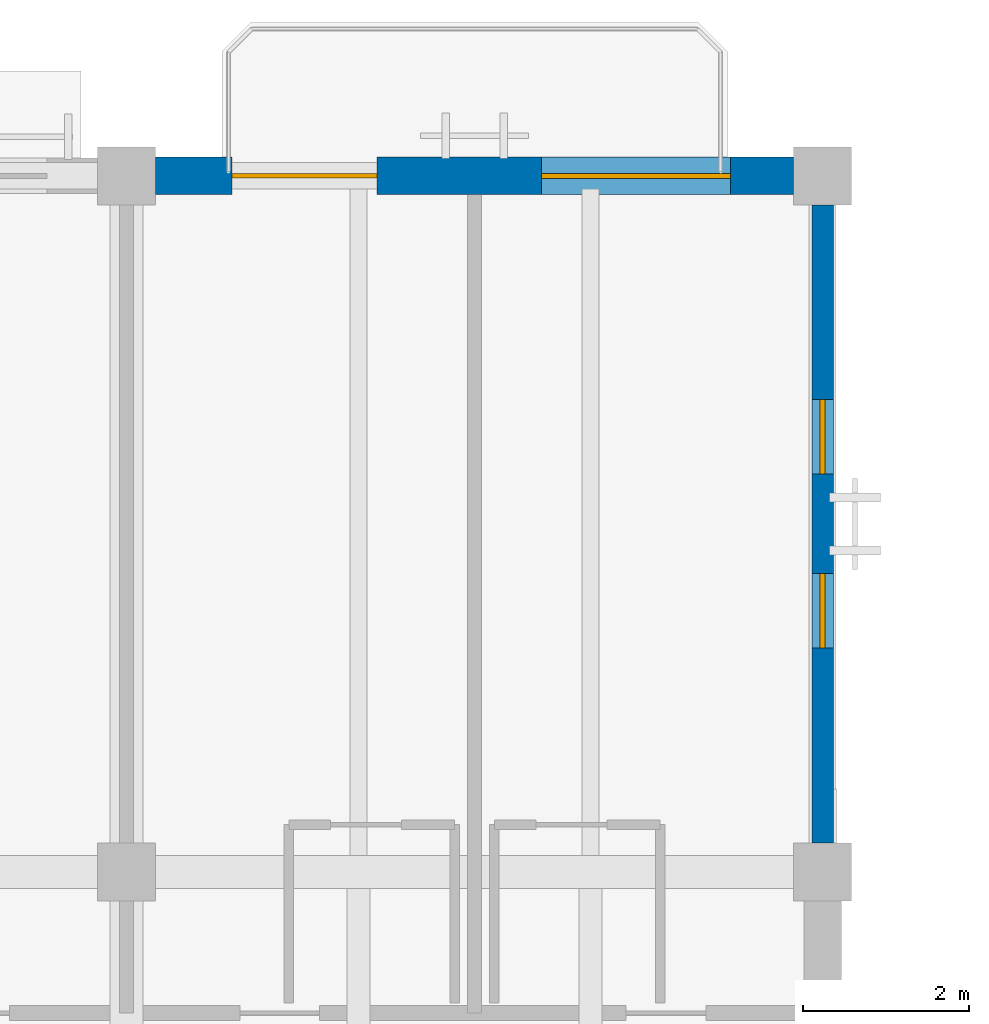
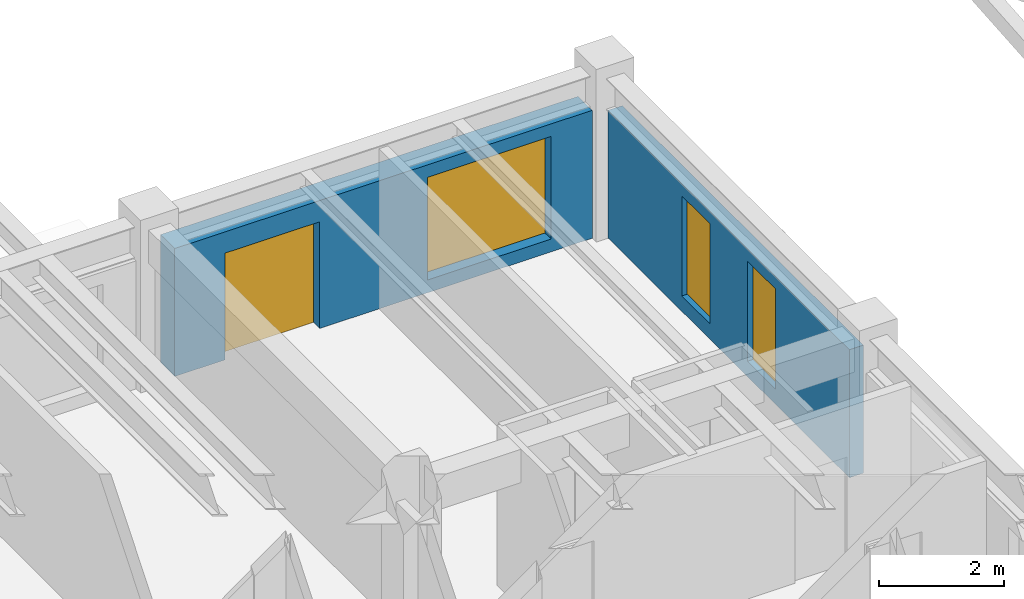
# One storey, part 94 of 111: 3 windows, 2 walls, 1 door, 4 openings.
"""IFC4 building model written with IfcOpenShell, lengths in metres."""

from ifc_helpers import new_model, si_unit, direction, frame, frame_2d, origin, place, context, subcontext, project, spatial, rectangle, extrude, material, layer, layer_set, type_object, element, fill, save


model = new_model("IFC4")

# Units and contexts
model_context = context("Model", 3, precision=1e-05, world=origin(), true_north=direction((0.0, 1.0)))
body_context = subcontext(model_context, "Body", "Model", "MODEL_VIEW")
ifc_project = project(units=[si_unit("LENGTHUNIT", "METRE"), si_unit("AREAUNIT", "SQUARE_METRE"), si_unit("VOLUMEUNIT", "CUBIC_METRE"), si_unit("PLANEANGLEUNIT", "RADIAN"), si_unit("MASSUNIT", "GRAM", prefix="KILO")], contexts=[model_context])

# Site, building, storey
site_placement = place(None, origin())
site = spatial("IfcSite", under=ifc_project, at=site_placement, CompositionType="ELEMENT")
building_placement = place(site_placement, origin())
building = spatial("IfcBuilding", under=site, at=building_placement, Name="Cumbredor Promenade Congress Hotel", CompositionType="ELEMENT")
storey_placement = place(building_placement, frame((0.0, 0.0, 15.1201171875)))
storey = spatial("IfcBuildingStorey", under=building, at=storey_placement, Name="L04", CompositionType="ELEMENT", Elevation=15.1201171875)

# Wall, openings, windows
ifc_material_1 = material(Name="Concrete C40/50", Category="concrete")
ifc_layer_1 = layer(ifc_material_1, 0.260009765625, Name="Concrete C40/50", Category="concrete")
ifc_layer_set_1 = layer_set([ifc_layer_1], Name="Concrete C40/50")
wall_type_1 = type_object("IfcWallType", Name="WL-EXT-260", PredefinedType="SOLIDWALL", material=ifc_layer_set_1)
wall_1_placement = place(storey_placement, frame((84.0, 109.551025390625, 0.0), z_axis=(0.0, 0.0, 1.0), x_axis=(0.0, 1.0, 0.0)))
wall_1 = element("IfcWall", 1, at=wall_1_placement, inside=storey, type_object=wall_type_1, Name="L04 Stepped Congress Hotel Wing East Envelope Wall 3", PredefinedType="SOLIDWALL", context=body_context, shape_type="SweptSolid", body=[
    extrude(rectangle(XDim=7.697998046875, YDim=0.260009765625, at=frame_2d((3.84912109375, 0.0))), origin(), (0.0, 0.0, 1.0), 2.493896484375),
])
opening_1_placement = place(wall_1_placement, frame((2.34912109375, 0.0, 0.300048828125)))
opening_1 = element("IfcOpeningElement", 2, at=opening_1_placement, cuts=wall_1, Name="Opening WN-52", PredefinedType="OPENING", context=body_context, shape_type="SweptSolid", body=[
    extrude(rectangle(XDim=0.89990234375, YDim=1.949951171875, at=frame_2d((0.449951171875, 0.97509765625))), frame((0.0, 0.14013671875, 0.0), z_axis=(0.0, -1.0, 0.0), x_axis=(1.0, 0.0, 0.0)), (0.0, 0.0, 1.0), 0.280029296875),
])
opening_2_placement = place(wall_1_placement, frame((4.448974609375, 0.0, 0.300048828125)))
opening_2 = element("IfcOpeningElement", 3, at=opening_2_placement, cuts=wall_1, Name="Opening WN-52", PredefinedType="OPENING", context=body_context, shape_type="SweptSolid", body=[
    extrude(rectangle(XDim=0.89990234375, YDim=1.949951171875, at=frame_2d((0.449951171875, 0.97509765625))), frame((0.0, 0.14013671875, 0.0), z_axis=(0.0, -1.0, 0.0), x_axis=(1.0, 0.0, 0.0)), (0.0, 0.0, 1.0), 0.280029296875),
])
ifc_material_2 = material(Name="Thermally broken anodized aluminium and low-E glass", Category="aluminium")
window_type_1 = type_object("IfcWindowType", Name="Vertical Slot Window WN-52 900x1950", PartitioningType="SINGLE_PANEL", PredefinedType="WINDOW", material=ifc_material_2)
window_1_placement = place(opening_1_placement, origin())
window_1 = element("IfcWindow", 4, at=window_1_placement, inside=storey, type_object=window_type_1, Name="L04 Vertical Slot Window 0512", OverallHeight=1.949951171875, OverallWidth=0.89990234375, PartitioningType="SINGLE_PANEL", PredefinedType="WINDOW", context=body_context, shape_type="SweptSolid", body=[
    extrude(rectangle(XDim=0.89990234375, YDim=1.949951171875, at=frame_2d((0.449951171875, 0.97509765625))), frame((0.0, 0.030029296875, 0.0), z_axis=(0.0, -1.0, 0.0), x_axis=(1.0, 0.0, 0.0)), (0.0, 0.0, 1.0), 0.06005859375),
])
fill(opening_1, window_1)
window_2_placement = place(opening_2_placement, origin())
window_2 = element("IfcWindow", 5, at=window_2_placement, inside=storey, type_object=window_type_1, Name="L04 Vertical Slot Window 0513", OverallHeight=1.949951171875, OverallWidth=0.89990234375, PartitioningType="SINGLE_PANEL", PredefinedType="WINDOW", context=body_context, shape_type="SweptSolid", body=[
    extrude(rectangle(XDim=0.89990234375, YDim=1.949951171875, at=frame_2d((0.449951171875, 0.97509765625))), frame((0.0, 0.030029296875, 0.0), z_axis=(0.0, -1.0, 0.0), x_axis=(1.0, 0.0, 0.0)), (0.0, 0.0, 1.0), 0.06005859375),
])
fill(opening_2, window_2)

# Wall, openings, door, window
ifc_layer_2 = layer(ifc_material_1, 0.449951171875, Name="Concrete C40/50", Category="concrete")
ifc_layer_set_2 = layer_set([ifc_layer_2], Name="Concrete C40/50")
wall_type_2 = type_object("IfcWallType", Name="WL-EXT-450", PredefinedType="SOLIDWALL", material=ifc_layer_set_2)
wall_2_placement = place(storey_placement, frame((75.950927734375, 117.60009765625, 0.0), z_axis=(0.0, 0.0, 1.0), x_axis=(1.0, 0.0, 0.0)))
wall_2 = element("IfcWall", 6, at=wall_2_placement, inside=storey, type_object=wall_type_2, Name="L04 Stepped Congress Hotel Wing North Envelope Wall 10", PredefinedType="SOLIDWALL", context=body_context, shape_type="SweptSolid", body=[
    extrude(rectangle(XDim=7.697998046875, YDim=0.449951171875, at=frame_2d((3.84912109375, 0.0))), origin(), (0.0, 0.0, 1.0), 2.493896484375),
])
opening_3_placement = place(wall_2_placement, frame((0.924072265625, 0.0, 0.0)))
opening_3 = element("IfcOpeningElement", 7, at=opening_3_placement, cuts=wall_2, Name="Opening TD-03", PredefinedType="OPENING", context=body_context, shape_type="SweptSolid", body=[
    extrude(rectangle(XDim=1.75, YDim=2.080078125, at=frame_2d((0.875, 1.0400390625))), frame((0.0, 0.23486328125, 0.0), z_axis=(0.0, -1.0, 0.0), x_axis=(1.0, 0.0, 0.0)), (0.0, 0.0, 1.0), 0.469970703125),
])
opening_4_placement = place(wall_2_placement, frame((4.658935546875, 0.0, 0.25)))
opening_4 = element("IfcOpeningElement", 8, at=opening_4_placement, cuts=wall_2, Name="Opening WN-40", PredefinedType="OPENING", context=body_context, shape_type="SweptSolid", body=[
    extrude(rectangle(XDim=2.280029296875, YDim=2.0, at=frame_2d((1.14013671875, 1.0))), frame((0.0, 0.23486328125, 0.0), z_axis=(0.0, -1.0, 0.0), x_axis=(1.0, 0.0, 0.0)), (0.0, 0.0, 1.0), 0.469970703125),
])
ifc_material_3 = material(Name="Thermally broken anodized aluminium and laminated safety glass", Category="aluminium")
door_type = type_object("IfcDoorType", Name="EXT-DR-TER-1750x2080", OperationType="DOUBLE_DOOR_SINGLE_SWING", PredefinedType="DOOR", material=ifc_material_3)
door_placement = place(opening_3_placement, origin())
door = element("IfcDoor", 9, at=door_placement, inside=storey, type_object=door_type, Name="L04 Guestroom Veranda Balcony Door 056", OperationType="DOUBLE_DOOR_SINGLE_SWING", OverallHeight=2.080078125, OverallWidth=1.75, PredefinedType="DOOR", context=body_context, shape_type="SweptSolid", body=[
    extrude(rectangle(XDim=1.75, YDim=2.080078125, at=frame_2d((0.875, 1.0400390625))), frame((0.0, 0.02490234375, 0.0), z_axis=(0.0, -1.0, 0.0), x_axis=(1.0, 0.0, 0.0)), (0.0, 0.0, 1.0), 0.050048828125),
])
fill(opening_3, door)
window_type_2 = type_object("IfcWindowType", Name="Hospitality Floor-to-Ceiling Window WN-40 2280x2000", PartitioningType="DOUBLE_PANEL_VERTICAL", PredefinedType="WINDOW", material=ifc_material_2)
window_3_placement = place(opening_4_placement, origin())
window_3 = element("IfcWindow", 10, at=window_3_placement, inside=storey, type_object=window_type_2, Name="L04 Veranda Companion Floor-to-Ceiling Window 0501", OverallHeight=2.0, OverallWidth=2.280029296875, PartitioningType="DOUBLE_PANEL_VERTICAL", PredefinedType="WINDOW", context=body_context, shape_type="SweptSolid", body=[
    extrude(rectangle(XDim=2.280029296875, YDim=2.0, at=frame_2d((1.14013671875, 1.0))), frame((0.0, 0.030029296875, 0.0), z_axis=(0.0, -1.0, 0.0), x_axis=(1.0, 0.0, 0.0)), (0.0, 0.0, 1.0), 0.06005859375),
])
fill(opening_4, window_3)

save(model, "model.ifc")
